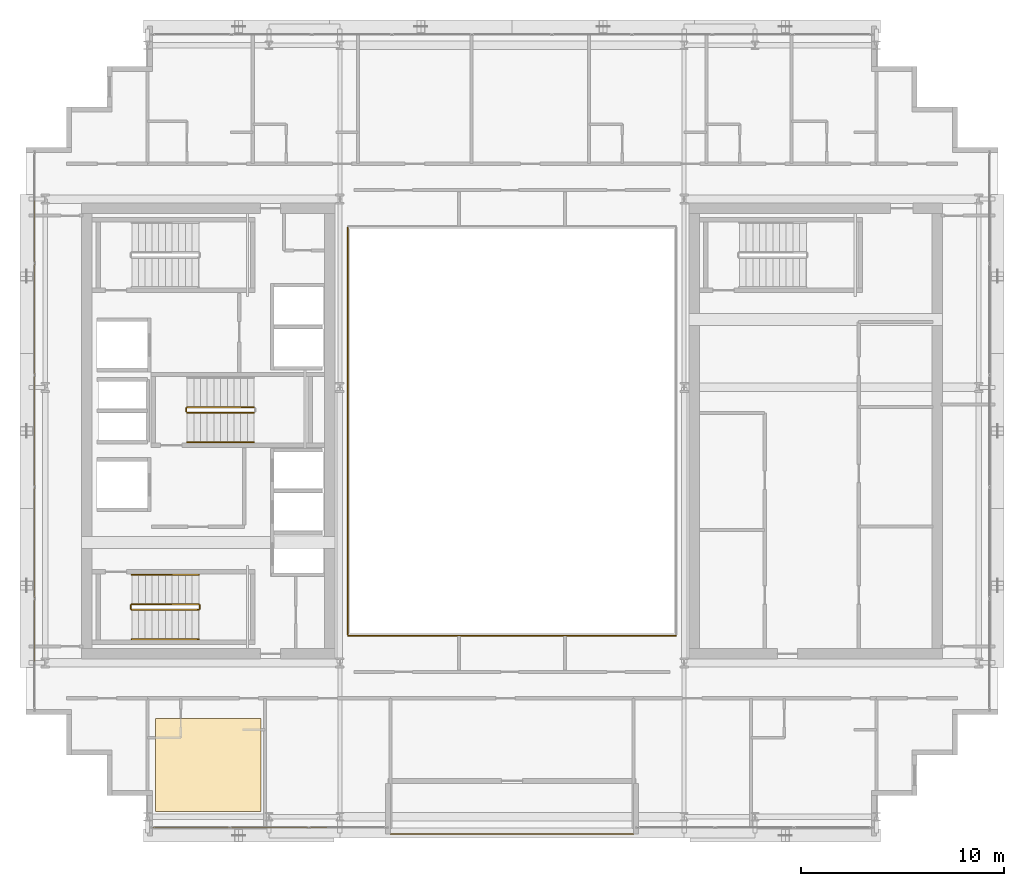
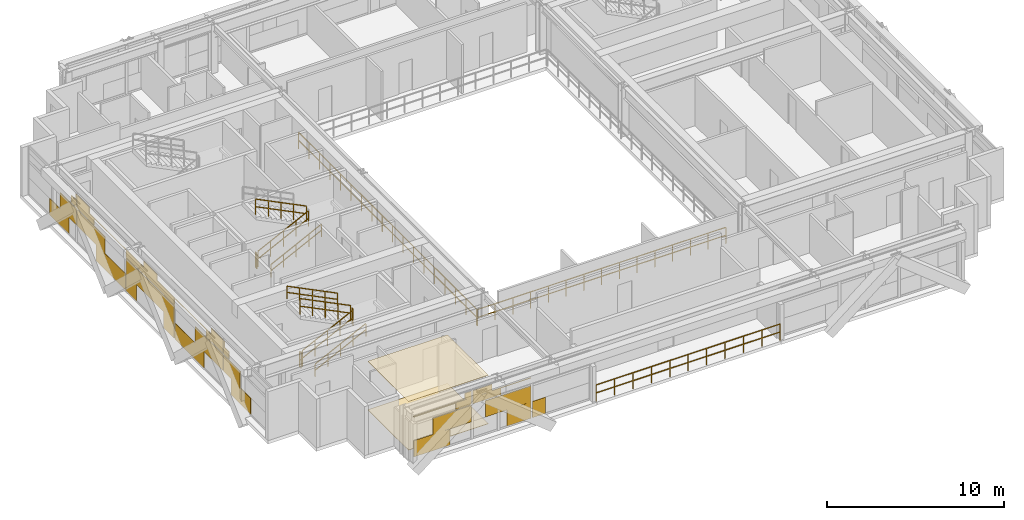
# One storey, part 28 of 31: 13 railings, 4 coverings.
"""IFC4 building model written with IfcOpenShell, lengths in metres."""

from ifc_helpers import new_model, si_unit, direction, frame, origin, origin_2d, place, context, subcontext, project, spatial, polyline, rectangle, outline, extrude, material, layer, layer_set, type_object, element, save


model = new_model("IFC4")

# Units and contexts
model_context = context("Model", 3, precision=1e-05, world=origin(), true_north=direction((0.0, 1.0)))
body_context = subcontext(model_context, "Body", "Model", "MODEL_VIEW")
ifc_project = project(units=[si_unit("LENGTHUNIT", "METRE"), si_unit("AREAUNIT", "SQUARE_METRE"), si_unit("VOLUMEUNIT", "CUBIC_METRE"), si_unit("PLANEANGLEUNIT", "RADIAN"), si_unit("MASSUNIT", "GRAM", prefix="KILO")], contexts=[model_context])

# Site, building, storey
site_placement = place(None, origin())
site = spatial("IfcSite", under=ifc_project, at=site_placement, CompositionType="ELEMENT")
building_placement = place(site_placement, origin())
building = spatial("IfcBuilding", under=site, at=building_placement, Name="Ocotamira Hotel", CompositionType="ELEMENT")
storey_placement = place(building_placement, frame((0.0, 0.0, 188.39990234375)))
storey = spatial("IfcBuildingStorey", under=building, at=storey_placement, Name="L47", CompositionType="ELEMENT", Elevation=188.39990234375)

# Coverings
ifc_material_1 = material(Name="Perforated acoustic gypsum ceiling board", Category="gypsum")
ifc_layer_1 = layer(ifc_material_1, 0.02490234375)
ifc_layer_set_1 = layer_set([ifc_layer_1], Name="Perforated acoustic gypsum ceiling board")
covering_type_1 = type_object("IfcCoveringType", Name="COV-CEIL-25", PredefinedType="CEILING", material=ifc_layer_set_1)
covering_1_placement = place(storey_placement, frame((0.0, 0.0, 3.34521484375)))
element("IfcCovering", 1, at=covering_1_placement, inside=storey, type_object=covering_type_1, Name="L47 Acoustic Ceiling", PredefinedType="CEILING", context=body_context, shape_type="SweptSolid", body=[
    extrude(outline(polyline([(14.39990234375, 7.199951171875), (19.60009765625, 7.199951171875), (19.60009765625, 11.800048828125), (14.39990234375, 11.800048828125), (14.39990234375, 7.199951171875)])), origin(), (0.0, 0.0, 1.0), 0.02490234375),
])
ifc_material_2 = material(Name="Honed desert travertine stone flooring", Category="masonry")
ifc_layer_2 = layer(ifc_material_2, 0.030029296875)
ifc_layer_set_2 = layer_set([ifc_layer_2], Name="Honed desert travertine stone flooring")
covering_type_2 = type_object("IfcCoveringType", Name="COV-FLOR-30", PredefinedType="FLOORING", material=ifc_layer_set_2)
covering_2_placement = place(storey_placement, origin())
element("IfcCovering", 2, at=covering_2_placement, inside=storey, type_object=covering_type_2, Name="L47 Honed Stone Floor Finish", PredefinedType="FLOORING", context=body_context, shape_type="SweptSolid", body=[
    extrude(outline(polyline([(14.39990234375, 7.199951171875), (19.60009765625, 7.199951171875), (19.60009765625, 11.800048828125), (14.39990234375, 11.800048828125), (14.39990234375, 7.199951171875)])), origin(), (0.0, 0.0, 1.0), 0.030029296875),
])
ifc_material_3 = material(Name="Insulated pale-metal aluminium spandrel panel", Category="aluminium")
ifc_layer_3 = layer(ifc_material_3, 0.044921875)
ifc_layer_set_3 = layer_set([ifc_layer_3], Name="Insulated pale-metal aluminium spandrel panel")
covering_type_3 = type_object("IfcCoveringType", Name="COV-INFILL-45", PredefinedType="CLADDING", material=ifc_layer_set_3)
covering_3_placement = place(storey_placement, origin())
element("IfcCovering", 3, at=covering_3_placement, inside=storey, type_object=covering_type_3, Name="L47 Curtain Wall Infill CW-4 CW-L47-S1", PredefinedType="CLADDING", context=body_context, shape_type="SweptSolid", body=[
    extrude(rectangle(XDim=2.37158203125, YDim=0.044921875, at=origin_2d()), frame((15.46630859375, 6.419921875, 0.07568359375), z_axis=(0.0, 0.0, 1.0), x_axis=(1.0, 0.0, 0.0)), (0.0, 0.0, 1.0), 1.117919921875),
    extrude(rectangle(XDim=2.510498046875, YDim=0.044921875, at=origin_2d()), frame((16.78759765625, 6.419921875, 1.1943359375), z_axis=(0.0, 0.0, 1.0), x_axis=(1.0, 0.0, 0.0)), (0.0, 0.0, 1.0), 1.117919921875),
    extrude(rectangle(XDim=3.76220703125, YDim=0.044921875, at=origin_2d()), frame((16.16162109375, 6.419921875, 2.83154296875), z_axis=(0.0, 0.0, 1.0), x_axis=(1.0, 0.0, 0.0)), (0.0, 0.0, 1.0), 0.0302734375),
    extrude(rectangle(XDim=1.018310546875, YDim=0.044921875, at=origin_2d()), frame((17.53369140625, 6.419921875, 2.38818359375), z_axis=(0.0, 0.0, 1.0), x_axis=(1.0, 0.0, 0.0)), (0.0, 0.0, 1.0), 0.442626953125),
    extrude(rectangle(XDim=0.4248046875, YDim=0.044921875, at=origin_2d()), frame((17.83056640625, 6.419921875, 2.863037109375), z_axis=(0.0, 0.0, 1.0), x_axis=(1.0, 0.0, 0.0)), (0.0, 0.0, 1.0), 0.431640625),
    extrude(rectangle(XDim=2.9765625, YDim=0.044921875, at=origin_2d()), frame((20.43798828125, 6.419921875, 1.1943359375), z_axis=(0.0, 0.0, 1.0), x_axis=(1.0, 0.0, 0.0)), (0.0, 0.0, 1.0), 1.117919921875),
    extrude(rectangle(XDim=1.578125, YDim=0.044921875, at=origin_2d()), frame((21.13720703125, 6.419921875, 0.07568359375), z_axis=(0.0, 0.0, 1.0), x_axis=(1.0, 0.0, 0.0)), (0.0, 0.0, 1.0), 1.117919921875),
    extrude(rectangle(XDim=1.8515625, YDim=0.044921875, at=origin_2d()), frame((19.049560546875, 6.419921875, 2.38818359375), z_axis=(0.0, 0.0, 1.0), x_axis=(1.0, 0.0, 0.0)), (0.0, 0.0, 1.0), 0.442626953125),
    extrude(rectangle(XDim=3.80224609375, YDim=0.044921875, at=origin_2d()), frame((20.02490234375, 6.419921875, 2.83154296875), z_axis=(0.0, 0.0, 1.0), x_axis=(1.0, 0.0, 0.0)), (0.0, 0.0, 1.0), 0.0302734375),
    extrude(rectangle(XDim=1.258056640625, YDim=0.044921875, at=origin_2d()), frame((18.7529296875, 6.419921875, 2.863037109375), z_axis=(0.0, 0.0, 1.0), x_axis=(1.0, 0.0, 0.0)), (0.0, 0.0, 1.0), 0.431640625),
    extrude(rectangle(XDim=0.85888671875, YDim=0.044921875, at=origin_2d()), frame((22.4365234375, 6.419921875, 0.07568359375), z_axis=(0.0, 0.0, 1.0), x_axis=(1.0, 0.0, 0.0)), (0.0, 0.0, 1.0), 1.117919921875),
])
covering_4_placement = place(storey_placement, origin())
element("IfcCovering", 4, at=covering_4_placement, inside=storey, type_object=covering_type_3, Name="L47 Curtain Wall Infill CW-4 CW-L47-W", PredefinedType="CLADDING", context=body_context, shape_type="SweptSolid", body=[
    extrude(rectangle(XDim=2.205078125, YDim=0.044921875, at=origin_2d()), frame((8.419921875, 15.7314453125, 0.07568359375), z_axis=(0.0, 0.0, 1.0), x_axis=(0.0, 1.0, 0.0)), (0.0, 0.0, 1.0), 1.117919921875),
    extrude(rectangle(XDim=1.864501953125, YDim=0.044921875, at=origin_2d()), frame((8.419921875, 16.747314453125, 1.1943359375), z_axis=(0.0, 0.0, 1.0), x_axis=(0.0, 1.0, 0.0)), (0.0, 0.0, 1.0), 1.117919921875),
    extrude(rectangle(XDim=0.59912109375, YDim=0.044921875, at=origin_2d()), frame((8.419921875, 17.3798828125, 2.38818359375), z_axis=(0.0, 0.0, 1.0), x_axis=(0.0, 1.0, 0.0)), (0.0, 0.0, 1.0), 0.493896484375),
    extrude(rectangle(XDim=0.07421875, YDim=0.044921875, at=origin_2d()), frame((8.419921875, 17.642333984375, 2.883056640625), z_axis=(0.0, 0.0, 1.0), x_axis=(0.0, 1.0, 0.0)), (0.0, 0.0, 1.0), 0.41162109375),
    extrude(rectangle(XDim=3.157958984375, YDim=0.044921875, at=origin_2d()), frame((8.419921875, 19.33935546875, 1.1943359375), z_axis=(0.0, 0.0, 1.0), x_axis=(0.0, 1.0, 0.0)), (0.0, 0.0, 1.0), 1.117919921875),
    extrude(rectangle(XDim=3.30029296875, YDim=0.044921875, at=origin_2d()), frame((8.419921875, 21.54931640625, 0.07568359375), z_axis=(0.0, 0.0, 1.0), x_axis=(0.0, 1.0, 0.0)), (0.0, 0.0, 1.0), 1.117919921875),
    extrude(rectangle(XDim=1.892333984375, YDim=0.044921875, at=origin_2d()), frame((8.419921875, 18.70654296875, 2.38818359375), z_axis=(0.0, 0.0, 1.0), x_axis=(0.0, 1.0, 0.0)), (0.0, 0.0, 1.0), 0.459716796875),
    extrude(rectangle(XDim=5.43896484375, YDim=0.044921875, at=origin_2d()), frame((8.419921875, 20.47998046875, 2.848876953125), z_axis=(0.0, 0.0, 1.0), x_axis=(0.0, 1.0, 0.0)), (0.0, 0.0, 1.0), 0.033203125),
    extrude(rectangle(XDim=1.367431640625, YDim=0.044921875, at=origin_2d()), frame((8.419921875, 18.444091796875, 2.883056640625), z_axis=(0.0, 0.0, 1.0), x_axis=(0.0, 1.0, 0.0)), (0.0, 0.0, 1.0), 0.41162109375),
    extrude(rectangle(XDim=1.18701171875, YDim=0.044921875, at=origin_2d()), frame((8.419921875, 23.873779296875, 0.07568359375), z_axis=(0.0, 0.0, 1.0), x_axis=(0.0, 1.0, 0.0)), (0.0, 0.0, 1.0), 1.117919921875),
    extrude(rectangle(XDim=5.43896484375, YDim=0.044921875, at=origin_2d()), frame((8.419921875, 26.0, 1.1943359375), z_axis=(0.0, 0.0, 1.0), x_axis=(0.0, 1.0, 0.0)), (0.0, 0.0, 1.0), 1.117919921875),
    extrude(rectangle(XDim=1.18701171875, YDim=0.044921875, at=origin_2d()), frame((8.419921875, 28.126220703125, 0.07568359375), z_axis=(0.0, 0.0, 1.0), x_axis=(0.0, 1.0, 0.0)), (0.0, 0.0, 1.0), 1.117919921875),
    extrude(rectangle(XDim=5.43896484375, YDim=0.044921875, at=origin_2d()), frame((8.419921875, 26.0, 2.38818359375), z_axis=(0.0, 0.0, 1.0), x_axis=(0.0, 1.0, 0.0)), (0.0, 0.0, 1.0), 0.493896484375),
    extrude(rectangle(XDim=1.522705078125, YDim=0.044921875, at=origin_2d()), frame((8.419921875, 26.0, 2.883056640625), z_axis=(0.0, 0.0, 1.0), x_axis=(0.0, 1.0, 0.0)), (0.0, 0.0, 1.0), 0.41162109375),
    extrude(rectangle(XDim=3.30029296875, YDim=0.044921875, at=origin_2d()), frame((8.419921875, 30.45068359375, 0.07568359375), z_axis=(0.0, 0.0, 1.0), x_axis=(0.0, 1.0, 0.0)), (0.0, 0.0, 1.0), 1.117919921875),
    extrude(rectangle(XDim=3.157958984375, YDim=0.044921875, at=origin_2d()), frame((8.419921875, 32.66064453125, 1.1943359375), z_axis=(0.0, 0.0, 1.0), x_axis=(0.0, 1.0, 0.0)), (0.0, 0.0, 1.0), 1.117919921875),
    extrude(rectangle(XDim=5.43896484375, YDim=0.044921875, at=origin_2d()), frame((8.419921875, 31.52001953125, 2.848876953125), z_axis=(0.0, 0.0, 1.0), x_axis=(0.0, 1.0, 0.0)), (0.0, 0.0, 1.0), 0.033203125),
    extrude(rectangle(XDim=1.892333984375, YDim=0.044921875, at=origin_2d()), frame((8.419921875, 33.29345703125, 2.38818359375), z_axis=(0.0, 0.0, 1.0), x_axis=(0.0, 1.0, 0.0)), (0.0, 0.0, 1.0), 0.459716796875),
    extrude(rectangle(XDim=1.367431640625, YDim=0.044921875, at=origin_2d()), frame((8.419921875, 33.555908203125, 2.883056640625), z_axis=(0.0, 0.0, 1.0), x_axis=(0.0, 1.0, 0.0)), (0.0, 0.0, 1.0), 0.41162109375),
    extrude(rectangle(XDim=1.864501953125, YDim=0.044921875, at=origin_2d()), frame((8.419921875, 35.252685546875, 1.1943359375), z_axis=(0.0, 0.0, 1.0), x_axis=(0.0, 1.0, 0.0)), (0.0, 0.0, 1.0), 1.117919921875),
    extrude(rectangle(XDim=2.205078125, YDim=0.044921875, at=origin_2d()), frame((8.419921875, 36.2685546875, 0.07568359375), z_axis=(0.0, 0.0, 1.0), x_axis=(0.0, 1.0, 0.0)), (0.0, 0.0, 1.0), 1.117919921875),
    extrude(rectangle(XDim=0.59912109375, YDim=0.044921875, at=origin_2d()), frame((8.419921875, 34.6201171875, 2.38818359375), z_axis=(0.0, 0.0, 1.0), x_axis=(0.0, 1.0, 0.0)), (0.0, 0.0, 1.0), 0.493896484375),
    extrude(rectangle(XDim=0.07421875, YDim=0.044921875, at=origin_2d()), frame((8.419921875, 34.357666015625, 2.883056640625), z_axis=(0.0, 0.0, 1.0), x_axis=(0.0, 1.0, 0.0)), (0.0, 0.0, 1.0), 0.41162109375),
])

# Railings
ifc_material_4 = material(Name="Laminated glass and pale-metal balustrade", Category="glass")
railing_type_1 = type_object("IfcRailingType", Name="RL-BAL-1150", PredefinedType="BALUSTRADE", material=ifc_material_4)
railing_1_placement = place(storey_placement, frame((26.0, 6.10009765625, 0.0)))
element("IfcRailing", 5, at=railing_1_placement, inside=storey, type_object=railing_type_1, Name="L47 Sky Terrace Balustrade 1", PredefinedType="BALUSTRADE", context=body_context, shape_type="SweptSolid", body=[
    extrude(rectangle(XDim=0.048095703125, YDim=0.048095703125, at=origin_2d()), frame((0.0, 0.0, 1.1259765625), z_axis=(1.0, 0.0, 0.0), x_axis=(0.0, 1.0, 0.0)), (0.0, 0.0, 1.0), 12.0),
    extrude(rectangle(XDim=0.048095703125, YDim=0.048095703125, at=origin_2d()), frame((0.0, 0.0, 0.574951171875), z_axis=(1.0, 0.0, 0.0), x_axis=(0.0, 1.0, 0.0)), (0.0, 0.0, 1.0), 12.0),
    extrude(rectangle(XDim=0.0419921875, YDim=0.0419921875, at=origin_2d()), origin(), (0.0, 0.0, 1.0), 1.101806640625),
    extrude(rectangle(XDim=0.0419921875, YDim=0.0419921875, at=origin_2d()), frame((1.199951171875, 0.0, 0.0)), (0.0, 0.0, 1.0), 1.101806640625),
    extrude(rectangle(XDim=0.0419921875, YDim=0.0419921875, at=origin_2d()), frame((2.39990234375, 0.0, 0.0)), (0.0, 0.0, 1.0), 1.101806640625),
    extrude(rectangle(XDim=0.0419921875, YDim=0.0419921875, at=origin_2d()), frame((3.60009765625, 0.0, 0.0)), (0.0, 0.0, 1.0), 1.101806640625),
    extrude(rectangle(XDim=0.0419921875, YDim=0.0419921875, at=origin_2d()), frame((4.800048828125, 0.0, 0.0)), (0.0, 0.0, 1.0), 1.101806640625),
    extrude(rectangle(XDim=0.0419921875, YDim=0.0419921875, at=origin_2d()), frame((6.0, 0.0, 0.0)), (0.0, 0.0, 1.0), 1.101806640625),
    extrude(rectangle(XDim=0.0419921875, YDim=0.0419921875, at=origin_2d()), frame((7.199951171875, 0.0, 0.0)), (0.0, 0.0, 1.0), 1.101806640625),
    extrude(rectangle(XDim=0.0419921875, YDim=0.0419921875, at=origin_2d()), frame((8.39990234375, 0.0, 0.0)), (0.0, 0.0, 1.0), 1.101806640625),
    extrude(rectangle(XDim=0.0419921875, YDim=0.0419921875, at=origin_2d()), frame((9.60009765625, 0.0, 0.0)), (0.0, 0.0, 1.0), 1.101806640625),
    extrude(rectangle(XDim=0.0419921875, YDim=0.0419921875, at=origin_2d()), frame((10.800048828125, 0.0, 0.0)), (0.0, 0.0, 1.0), 1.101806640625),
    extrude(rectangle(XDim=0.0419921875, YDim=0.0419921875, at=origin_2d()), frame((12.0, 0.0, 0.0)), (0.0, 0.0, 1.0), 1.101806640625),
])
ifc_material_5 = material(Name="Painted steel stair guardrail", Category="steel")
railing_type_2 = type_object("IfcRailingType", Name="RL-EDGE-1150", PredefinedType="GUARDRAIL", material=ifc_material_5)
railing_2_placement = place(storey_placement, frame((23.89990234375, 15.8798828125, 0.0)))
element("IfcRailing", 6, at=railing_2_placement, inside=storey, type_object=railing_type_2, Name="L47 Central Atrium Edge Guardrail S", PredefinedType="GUARDRAIL", context=body_context, shape_type="SweptSolid", body=[
    extrude(rectangle(XDim=0.048095703125, YDim=0.048095703125, at=origin_2d()), frame((0.0, 0.0, 1.1259765625), z_axis=(1.0, 0.0, 0.0), x_axis=(0.0, 1.0, 0.0)), (0.0, 0.0, 1.0), 16.2001953125),
    extrude(rectangle(XDim=0.048095703125, YDim=0.048095703125, at=origin_2d()), frame((0.0, 0.0, 0.574951171875), z_axis=(1.0, 0.0, 0.0), x_axis=(0.0, 1.0, 0.0)), (0.0, 0.0, 1.0), 16.2001953125),
    extrude(rectangle(XDim=0.0419921875, YDim=0.0419921875, at=origin_2d()), origin(), (0.0, 0.0, 1.0), 1.101806640625),
    extrude(rectangle(XDim=0.0419921875, YDim=0.0419921875, at=origin_2d()), frame((1.1572265625, 0.0, 0.0)), (0.0, 0.0, 1.0), 1.101806640625),
    extrude(rectangle(XDim=0.0419921875, YDim=0.0419921875, at=origin_2d()), frame((2.314208984375, 0.0, 0.0)), (0.0, 0.0, 1.0), 1.101806640625),
    extrude(rectangle(XDim=0.0419921875, YDim=0.0419921875, at=origin_2d()), frame((3.471435546875, 0.0, 0.0)), (0.0, 0.0, 1.0), 1.101806640625),
    extrude(rectangle(XDim=0.0419921875, YDim=0.0419921875, at=origin_2d()), frame((4.628662109375, 0.0, 0.0)), (0.0, 0.0, 1.0), 1.101806640625),
    extrude(rectangle(XDim=0.0419921875, YDim=0.0419921875, at=origin_2d()), frame((5.785888671875, 0.0, 0.0)), (0.0, 0.0, 1.0), 1.101806640625),
    extrude(rectangle(XDim=0.0419921875, YDim=0.0419921875, at=origin_2d()), frame((6.94287109375, 0.0, 0.0)), (0.0, 0.0, 1.0), 1.101806640625),
    extrude(rectangle(XDim=0.0419921875, YDim=0.0419921875, at=origin_2d()), frame((8.10009765625, 0.0, 0.0)), (0.0, 0.0, 1.0), 1.101806640625),
    extrude(rectangle(XDim=0.0419921875, YDim=0.0419921875, at=origin_2d()), frame((9.25732421875, 0.0, 0.0)), (0.0, 0.0, 1.0), 1.101806640625),
    extrude(rectangle(XDim=0.0419921875, YDim=0.0419921875, at=origin_2d()), frame((10.414306640625, 0.0, 0.0)), (0.0, 0.0, 1.0), 1.101806640625),
    extrude(rectangle(XDim=0.0419921875, YDim=0.0419921875, at=origin_2d()), frame((11.571533203125, 0.0, 0.0)), (0.0, 0.0, 1.0), 1.101806640625),
    extrude(rectangle(XDim=0.0419921875, YDim=0.0419921875, at=origin_2d()), frame((12.728759765625, 0.0, 0.0)), (0.0, 0.0, 1.0), 1.101806640625),
    extrude(rectangle(XDim=0.0419921875, YDim=0.0419921875, at=origin_2d()), frame((13.885986328125, 0.0, 0.0)), (0.0, 0.0, 1.0), 1.101806640625),
    extrude(rectangle(XDim=0.0419921875, YDim=0.0419921875, at=origin_2d()), frame((15.04296875, 0.0, 0.0)), (0.0, 0.0, 1.0), 1.101806640625),
    extrude(rectangle(XDim=0.0419921875, YDim=0.0419921875, at=origin_2d()), frame((16.2001953125, 0.0, 0.0)), (0.0, 0.0, 1.0), 1.101806640625),
])
railing_3_placement = place(storey_placement, frame((23.8798828125, 36.0400390625, 0.0)))
element("IfcRailing", 7, at=railing_3_placement, inside=storey, type_object=railing_type_2, Name="L47 Central Atrium Edge Guardrail W", PredefinedType="GUARDRAIL", context=body_context, shape_type="SweptSolid", body=[
    extrude(rectangle(XDim=0.048095703125, YDim=0.048095703125, at=origin_2d()), frame((0.0, 0.0, 1.1259765625), z_axis=(0.0, -1.0, 0.0), x_axis=(1.0, 0.0, 0.0)), (0.0, 0.0, 1.0), 20.080078125),
    extrude(rectangle(XDim=0.048095703125, YDim=0.048095703125, at=origin_2d()), frame((0.0, 0.0, 0.574951171875), z_axis=(0.0, -1.0, 0.0), x_axis=(1.0, 0.0, 0.0)), (0.0, 0.0, 1.0), 20.080078125),
    extrude(rectangle(XDim=0.0419921875, YDim=0.0419921875, at=origin_2d()), origin(), (0.0, 0.0, 1.0), 1.101806640625),
    extrude(rectangle(XDim=0.0419921875, YDim=0.0419921875, at=origin_2d()), frame((0.0, -1.18115234375, 0.0)), (0.0, 0.0, 1.0), 1.101806640625),
    extrude(rectangle(XDim=0.0419921875, YDim=0.0419921875, at=origin_2d()), frame((0.0, -2.3623046875, 0.0)), (0.0, 0.0, 1.0), 1.101806640625),
    extrude(rectangle(XDim=0.0419921875, YDim=0.0419921875, at=origin_2d()), frame((0.0, -3.54345703125, 0.0)), (0.0, 0.0, 1.0), 1.101806640625),
    extrude(rectangle(XDim=0.0419921875, YDim=0.0419921875, at=origin_2d()), frame((0.0, -4.724609375, 0.0)), (0.0, 0.0, 1.0), 1.101806640625),
    extrude(rectangle(XDim=0.0419921875, YDim=0.0419921875, at=origin_2d()), frame((0.0, -5.906005859375, 0.0)), (0.0, 0.0, 1.0), 1.101806640625),
    extrude(rectangle(XDim=0.0419921875, YDim=0.0419921875, at=origin_2d()), frame((0.0, -7.087158203125, 0.0)), (0.0, 0.0, 1.0), 1.101806640625),
    extrude(rectangle(XDim=0.0419921875, YDim=0.0419921875, at=origin_2d()), frame((0.0, -8.268310546875, 0.0)), (0.0, 0.0, 1.0), 1.101806640625),
    extrude(rectangle(XDim=0.0419921875, YDim=0.0419921875, at=origin_2d()), frame((0.0, -9.449462890625, 0.0)), (0.0, 0.0, 1.0), 1.101806640625),
    extrude(rectangle(XDim=0.0419921875, YDim=0.0419921875, at=origin_2d()), frame((0.0, -10.630615234375, 0.0)), (0.0, 0.0, 1.0), 1.101806640625),
    extrude(rectangle(XDim=0.0419921875, YDim=0.0419921875, at=origin_2d()), frame((0.0, -11.811767578125, 0.0)), (0.0, 0.0, 1.0), 1.101806640625),
    extrude(rectangle(XDim=0.0419921875, YDim=0.0419921875, at=origin_2d()), frame((0.0, -12.992919921875, 0.0)), (0.0, 0.0, 1.0), 1.101806640625),
    extrude(rectangle(XDim=0.0419921875, YDim=0.0419921875, at=origin_2d()), frame((0.0, -14.174072265625, 0.0)), (0.0, 0.0, 1.0), 1.101806640625),
    extrude(rectangle(XDim=0.0419921875, YDim=0.0419921875, at=origin_2d()), frame((0.0, -15.35546875, 0.0)), (0.0, 0.0, 1.0), 1.101806640625),
    extrude(rectangle(XDim=0.0419921875, YDim=0.0419921875, at=origin_2d()), frame((0.0, -16.53662109375, 0.0)), (0.0, 0.0, 1.0), 1.101806640625),
    extrude(rectangle(XDim=0.0419921875, YDim=0.0419921875, at=origin_2d()), frame((0.0, -17.7177734375, 0.0)), (0.0, 0.0, 1.0), 1.101806640625),
    extrude(rectangle(XDim=0.0419921875, YDim=0.0419921875, at=origin_2d()), frame((0.0, -18.89892578125, 0.0)), (0.0, 0.0, 1.0), 1.101806640625),
    extrude(rectangle(XDim=0.0419921875, YDim=0.0419921875, at=origin_2d()), frame((0.0, -20.080078125, 0.0)), (0.0, 0.0, 1.0), 1.101806640625),
])
ifc_material_6 = material(Name="Brushed stainless steel handrail", Category="steel")
railing_type_3 = type_object("IfcRailingType", Name="RL-HAND-900", PredefinedType="HANDRAIL", material=ifc_material_6)
railing_4_placement = place(storey_placement, frame((13.22998046875, 15.719970703125, 0.327392578125)))
element("IfcRailing", 8, at=railing_4_placement, inside=storey, type_object=railing_type_3, Name="L47 ST-1 stair handrail 1", PredefinedType="HANDRAIL", context=body_context, shape_type="SweptSolid", body=[
    extrude(rectangle(XDim=0.048095703125, YDim=0.048095703125, at=origin_2d()), frame((0.0, 0.0, 0.8759765625), z_axis=(0.895920123917, 0.0, 0.444215186098), x_axis=(0.0, 1.0, 0.0)), (0.0, 0.0, 1.0), 3.683349609375),
    extrude(rectangle(XDim=0.048095703125, YDim=0.048095703125, at=origin_2d()), frame((0.0, 0.0, 0.449951171875), z_axis=(0.895920123917, 0.0, 0.444215186098), x_axis=(0.0, 1.0, 0.0)), (0.0, 0.0, 1.0), 3.683349609375),
    extrude(rectangle(XDim=0.0419921875, YDim=0.0419921875, at=origin_2d()), origin(), (0.0, 0.0, 1.0), 0.851806640625),
    extrude(rectangle(XDim=0.0419921875, YDim=0.0419921875, at=origin_2d()), frame((0.824951171875, 0.0, 0.4091796875)), (0.0, 0.0, 1.0), 0.851806640625),
    extrude(rectangle(XDim=0.0419921875, YDim=0.0419921875, at=origin_2d()), frame((1.64990234375, 0.0, 0.818115234375)), (0.0, 0.0, 1.0), 0.851806640625),
    extrude(rectangle(XDim=0.0419921875, YDim=0.0419921875, at=origin_2d()), frame((2.47509765625, 0.0, 1.22705078125)), (0.0, 0.0, 1.0), 0.851806640625),
    extrude(rectangle(XDim=0.0419921875, YDim=0.0419921875, at=origin_2d()), frame((3.300048828125, 0.0, 1.63623046875)), (0.0, 0.0, 1.0), 0.851806640625),
])
railing_5_placement = place(storey_placement, frame((16.530029296875, 18.89990234375, 2.12744140625)))
element("IfcRailing", 9, at=railing_5_placement, inside=storey, type_object=railing_type_3, Name="L47 ST-1 stair handrail 2", PredefinedType="HANDRAIL", context=body_context, shape_type="SweptSolid", body=[
    extrude(rectangle(XDim=0.048095703125, YDim=0.048095703125, at=origin_2d()), frame((0.0, 0.0, 0.8759765625), z_axis=(-0.895920123917, 0.0, 0.444215186098), x_axis=(0.0, -1.0, 0.0)), (0.0, 0.0, 1.0), 3.683349609375),
    extrude(rectangle(XDim=0.048095703125, YDim=0.048095703125, at=origin_2d()), frame((0.0, 0.0, 0.449951171875), z_axis=(-0.895920123917, 0.0, 0.444215186098), x_axis=(0.0, -1.0, 0.0)), (0.0, 0.0, 1.0), 3.683349609375),
    extrude(rectangle(XDim=0.0419921875, YDim=0.0419921875, at=origin_2d()), origin(), (0.0, 0.0, 1.0), 0.851806640625),
    extrude(rectangle(XDim=0.0419921875, YDim=0.0419921875, at=origin_2d()), frame((-0.824951171875, 0.0, 0.4091796875)), (0.0, 0.0, 1.0), 0.851806640625),
    extrude(rectangle(XDim=0.0419921875, YDim=0.0419921875, at=origin_2d()), frame((-1.64990234375, 0.0, 0.818115234375)), (0.0, 0.0, 1.0), 0.851806640625),
    extrude(rectangle(XDim=0.0419921875, YDim=0.0419921875, at=origin_2d()), frame((-2.47509765625, 0.0, 1.22705078125)), (0.0, 0.0, 1.0), 0.851806640625),
    extrude(rectangle(XDim=0.0419921875, YDim=0.0419921875, at=origin_2d()), frame((-3.300048828125, 0.0, 1.63623046875)), (0.0, 0.0, 1.0), 0.851806640625),
])
railing_6_placement = place(storey_placement, frame((15.9599609375, 25.449951171875, 0.327392578125)))
element("IfcRailing", 10, at=railing_6_placement, inside=storey, type_object=railing_type_3, Name="L47 ST-3 stair handrail 1", PredefinedType="HANDRAIL", context=body_context, shape_type="SweptSolid", body=[
    extrude(rectangle(XDim=0.048095703125, YDim=0.048095703125, at=origin_2d()), frame((0.0, 0.0, 0.8759765625), z_axis=(0.895920123917, 0.0, 0.444215186098), x_axis=(0.0, 1.0, 0.0)), (0.0, 0.0, 1.0), 3.683349609375),
    extrude(rectangle(XDim=0.048095703125, YDim=0.048095703125, at=origin_2d()), frame((0.0, 0.0, 0.449951171875), z_axis=(0.895920123917, 0.0, 0.444215186098), x_axis=(0.0, 1.0, 0.0)), (0.0, 0.0, 1.0), 3.683349609375),
    extrude(rectangle(XDim=0.0419921875, YDim=0.0419921875, at=origin_2d()), origin(), (0.0, 0.0, 1.0), 0.851806640625),
    extrude(rectangle(XDim=0.0419921875, YDim=0.0419921875, at=origin_2d()), frame((0.824951171875, 0.0, 0.4091796875)), (0.0, 0.0, 1.0), 0.851806640625),
    extrude(rectangle(XDim=0.0419921875, YDim=0.0419921875, at=origin_2d()), frame((1.64990234375, 0.0, 0.818115234375)), (0.0, 0.0, 1.0), 0.851806640625),
    extrude(rectangle(XDim=0.0419921875, YDim=0.0419921875, at=origin_2d()), frame((2.47509765625, 0.0, 1.22705078125)), (0.0, 0.0, 1.0), 0.851806640625),
    extrude(rectangle(XDim=0.0419921875, YDim=0.0419921875, at=origin_2d()), frame((3.300048828125, 0.0, 1.63623046875)), (0.0, 0.0, 1.0), 0.851806640625),
])
railing_type_4 = type_object("IfcRailingType", Name="RL-STAIR-1100", PredefinedType="GUARDRAIL", material=ifc_material_5)
railing_7_placement = place(storey_placement, frame((13.22998046875, 17.179931640625, 0.163818359375)))
element("IfcRailing", 11, at=railing_7_placement, inside=storey, type_object=railing_type_4, Name="L47 ST-1 stair guard 1", PredefinedType="GUARDRAIL", context=body_context, shape_type="SweptSolid", body=[
    extrude(rectangle(XDim=0.048095703125, YDim=0.048095703125, at=origin_2d()), frame((0.0, 0.0, 1.076171875), z_axis=(0.895920123917, 0.0, 0.444215186098), x_axis=(0.0, 1.0, 0.0)), (0.0, 0.0, 1.0), 3.683349609375),
    extrude(rectangle(XDim=0.048095703125, YDim=0.048095703125, at=origin_2d()), frame((0.0, 0.0, 0.550048828125), z_axis=(0.895920123917, 0.0, 0.444215186098), x_axis=(0.0, 1.0, 0.0)), (0.0, 0.0, 1.0), 3.683349609375),
    extrude(rectangle(XDim=0.0419921875, YDim=0.0419921875, at=origin_2d()), origin(), (0.0, 0.0, 1.0), 1.052001953125),
    extrude(rectangle(XDim=0.0419921875, YDim=0.0419921875, at=origin_2d()), frame((0.824951171875, 0.0, 0.4091796875)), (0.0, 0.0, 1.0), 1.052001953125),
    extrude(rectangle(XDim=0.0419921875, YDim=0.0419921875, at=origin_2d()), frame((1.64990234375, 0.0, 0.818115234375)), (0.0, 0.0, 1.0), 1.052001953125),
    extrude(rectangle(XDim=0.0419921875, YDim=0.0419921875, at=origin_2d()), frame((2.47509765625, 0.0, 1.22705078125)), (0.0, 0.0, 1.0), 1.052001953125),
    extrude(rectangle(XDim=0.0419921875, YDim=0.0419921875, at=origin_2d()), frame((3.300048828125, 0.0, 1.63623046875)), (0.0, 0.0, 1.0), 1.052001953125),
])
railing_8_placement = place(storey_placement, frame((16.580078125, 17.22998046875, 1.800048828125)))
element("IfcRailing", 12, at=railing_8_placement, inside=storey, type_object=railing_type_4, Name="L47 ST-1 stair guard 2", PredefinedType="GUARDRAIL", context=body_context, shape_type="SweptSolid", body=[
    extrude(rectangle(XDim=0.048095703125, YDim=0.048095703125, at=origin_2d()), frame((0.0, 0.0, 1.076171875), z_axis=(0.0, 1.0, 0.0), x_axis=(-1.0, 0.0, 0.0)), (0.0, 0.0, 1.0), 0.159912109375),
    extrude(rectangle(XDim=0.048095703125, YDim=0.048095703125, at=origin_2d()), frame((0.0, 0.0, 0.550048828125), z_axis=(0.0, 1.0, 0.0), x_axis=(-1.0, 0.0, 0.0)), (0.0, 0.0, 1.0), 0.159912109375),
    extrude(rectangle(XDim=0.0419921875, YDim=0.0419921875, at=origin_2d()), origin(), (0.0, 0.0, 1.0), 1.052001953125),
    extrude(rectangle(XDim=0.0419921875, YDim=0.0419921875, at=origin_2d()), frame((0.0, 0.159912109375, 0.0)), (0.0, 0.0, 1.0), 1.052001953125),
])
railing_9_placement = place(storey_placement, frame((16.530029296875, 17.43994140625, 1.963623046875)))
element("IfcRailing", 13, at=railing_9_placement, inside=storey, type_object=railing_type_4, Name="L47 ST-1 stair guard 3", PredefinedType="GUARDRAIL", context=body_context, shape_type="SweptSolid", body=[
    extrude(rectangle(XDim=0.048095703125, YDim=0.048095703125, at=origin_2d()), frame((0.0, 0.0, 1.076171875), z_axis=(-0.895893744519, 0.0, 0.4442683857), x_axis=(0.0, -1.0, 0.0)), (0.0, 0.0, 1.0), 3.68359375),
    extrude(rectangle(XDim=0.048095703125, YDim=0.048095703125, at=origin_2d()), frame((0.0, 0.0, 0.550048828125), z_axis=(-0.895893744519, 0.0, 0.4442683857), x_axis=(0.0, -1.0, 0.0)), (0.0, 0.0, 1.0), 3.68359375),
    extrude(rectangle(XDim=0.0419921875, YDim=0.0419921875, at=origin_2d()), origin(), (0.0, 0.0, 1.0), 1.052001953125),
    extrude(rectangle(XDim=0.0419921875, YDim=0.0419921875, at=origin_2d()), frame((-0.824951171875, 0.0, 0.4091796875)), (0.0, 0.0, 1.0), 1.052001953125),
    extrude(rectangle(XDim=0.0419921875, YDim=0.0419921875, at=origin_2d()), frame((-1.64990234375, 0.0, 0.818359375)), (0.0, 0.0, 1.0), 1.052001953125),
    extrude(rectangle(XDim=0.0419921875, YDim=0.0419921875, at=origin_2d()), frame((-2.47509765625, 0.0, 1.227294921875)), (0.0, 0.0, 1.0), 1.052001953125),
    extrude(rectangle(XDim=0.0419921875, YDim=0.0419921875, at=origin_2d()), frame((-3.300048828125, 0.0, 1.636474609375)), (0.0, 0.0, 1.0), 1.052001953125),
])
railing_10_placement = place(storey_placement, frame((13.179931640625, 17.22998046875, 0.0)))
element("IfcRailing", 14, at=railing_10_placement, inside=storey, type_object=railing_type_4, Name="L47 ST-1 stair guard 4", PredefinedType="GUARDRAIL", context=body_context, shape_type="SweptSolid", body=[
    extrude(rectangle(XDim=0.048095703125, YDim=0.048095703125, at=origin_2d()), frame((0.0, 0.0, 1.076171875), z_axis=(0.0, 1.0, 0.0), x_axis=(-1.0, 0.0, 0.0)), (0.0, 0.0, 1.0), 0.159912109375),
    extrude(rectangle(XDim=0.048095703125, YDim=0.048095703125, at=origin_2d()), frame((0.0, 0.0, 0.550048828125), z_axis=(0.0, 1.0, 0.0), x_axis=(-1.0, 0.0, 0.0)), (0.0, 0.0, 1.0), 0.159912109375),
    extrude(rectangle(XDim=0.0419921875, YDim=0.0419921875, at=origin_2d()), origin(), (0.0, 0.0, 1.0), 1.052001953125),
    extrude(rectangle(XDim=0.0419921875, YDim=0.0419921875, at=origin_2d()), frame((0.0, 0.159912109375, 0.0)), (0.0, 0.0, 1.0), 1.052001953125),
])
railing_11_placement = place(storey_placement, frame((15.9599609375, 26.909912109375, 0.163818359375)))
element("IfcRailing", 15, at=railing_11_placement, inside=storey, type_object=railing_type_4, Name="L47 ST-3 stair guard 1", PredefinedType="GUARDRAIL", context=body_context, shape_type="SweptSolid", body=[
    extrude(rectangle(XDim=0.048095703125, YDim=0.048095703125, at=origin_2d()), frame((0.0, 0.0, 1.076171875), z_axis=(0.895920123917, 0.0, 0.444215186098), x_axis=(0.0, 1.0, 0.0)), (0.0, 0.0, 1.0), 3.683349609375),
    extrude(rectangle(XDim=0.048095703125, YDim=0.048095703125, at=origin_2d()), frame((0.0, 0.0, 0.550048828125), z_axis=(0.895920123917, 0.0, 0.444215186098), x_axis=(0.0, 1.0, 0.0)), (0.0, 0.0, 1.0), 3.683349609375),
    extrude(rectangle(XDim=0.0419921875, YDim=0.0419921875, at=origin_2d()), origin(), (0.0, 0.0, 1.0), 1.052001953125),
    extrude(rectangle(XDim=0.0419921875, YDim=0.0419921875, at=origin_2d()), frame((0.824951171875, 0.0, 0.4091796875)), (0.0, 0.0, 1.0), 1.052001953125),
    extrude(rectangle(XDim=0.0419921875, YDim=0.0419921875, at=origin_2d()), frame((1.64990234375, 0.0, 0.818115234375)), (0.0, 0.0, 1.0), 1.052001953125),
    extrude(rectangle(XDim=0.0419921875, YDim=0.0419921875, at=origin_2d()), frame((2.47509765625, 0.0, 1.22705078125)), (0.0, 0.0, 1.0), 1.052001953125),
    extrude(rectangle(XDim=0.0419921875, YDim=0.0419921875, at=origin_2d()), frame((3.300048828125, 0.0, 1.63623046875)), (0.0, 0.0, 1.0), 1.052001953125),
])
railing_12_placement = place(storey_placement, frame((19.260009765625, 27.169921875, 1.963623046875)))
element("IfcRailing", 16, at=railing_12_placement, inside=storey, type_object=railing_type_4, Name="L47 ST-3 stair guard 3", PredefinedType="GUARDRAIL", context=body_context, shape_type="SweptSolid", body=[
    extrude(rectangle(XDim=0.048095703125, YDim=0.048095703125, at=origin_2d()), frame((0.0, 0.0, 1.076171875), z_axis=(-0.895893744519, 0.0, 0.4442683857), x_axis=(0.0, -1.0, 0.0)), (0.0, 0.0, 1.0), 3.68359375),
    extrude(rectangle(XDim=0.048095703125, YDim=0.048095703125, at=origin_2d()), frame((0.0, 0.0, 0.550048828125), z_axis=(-0.895893744519, 0.0, 0.4442683857), x_axis=(0.0, -1.0, 0.0)), (0.0, 0.0, 1.0), 3.68359375),
    extrude(rectangle(XDim=0.0419921875, YDim=0.0419921875, at=origin_2d()), origin(), (0.0, 0.0, 1.0), 1.052001953125),
    extrude(rectangle(XDim=0.0419921875, YDim=0.0419921875, at=origin_2d()), frame((-0.824951171875, 0.0, 0.4091796875)), (0.0, 0.0, 1.0), 1.052001953125),
    extrude(rectangle(XDim=0.0419921875, YDim=0.0419921875, at=origin_2d()), frame((-1.64990234375, 0.0, 0.818359375)), (0.0, 0.0, 1.0), 1.052001953125),
    extrude(rectangle(XDim=0.0419921875, YDim=0.0419921875, at=origin_2d()), frame((-2.47509765625, 0.0, 1.227294921875)), (0.0, 0.0, 1.0), 1.052001953125),
    extrude(rectangle(XDim=0.0419921875, YDim=0.0419921875, at=origin_2d()), frame((-3.300048828125, 0.0, 1.636474609375)), (0.0, 0.0, 1.0), 1.052001953125),
])
railing_13_placement = place(storey_placement, frame((15.909912109375, 26.9599609375, 0.0)))
element("IfcRailing", 17, at=railing_13_placement, inside=storey, type_object=railing_type_4, Name="L47 ST-3 stair guard 4", PredefinedType="GUARDRAIL", context=body_context, shape_type="SweptSolid", body=[
    extrude(rectangle(XDim=0.048095703125, YDim=0.048095703125, at=origin_2d()), frame((0.0, 0.0, 1.076171875), z_axis=(0.0, 1.0, 0.0), x_axis=(-1.0, 0.0, 0.0)), (0.0, 0.0, 1.0), 0.16015625),
    extrude(rectangle(XDim=0.048095703125, YDim=0.048095703125, at=origin_2d()), frame((0.0, 0.0, 0.550048828125), z_axis=(0.0, 1.0, 0.0), x_axis=(-1.0, 0.0, 0.0)), (0.0, 0.0, 1.0), 0.16015625),
    extrude(rectangle(XDim=0.0419921875, YDim=0.0419921875, at=origin_2d()), origin(), (0.0, 0.0, 1.0), 1.052001953125),
    extrude(rectangle(XDim=0.0419921875, YDim=0.0419921875, at=origin_2d()), frame((0.0, 0.16015625, 0.0)), (0.0, 0.0, 1.0), 1.052001953125),
])

save(model, "model.ifc")
